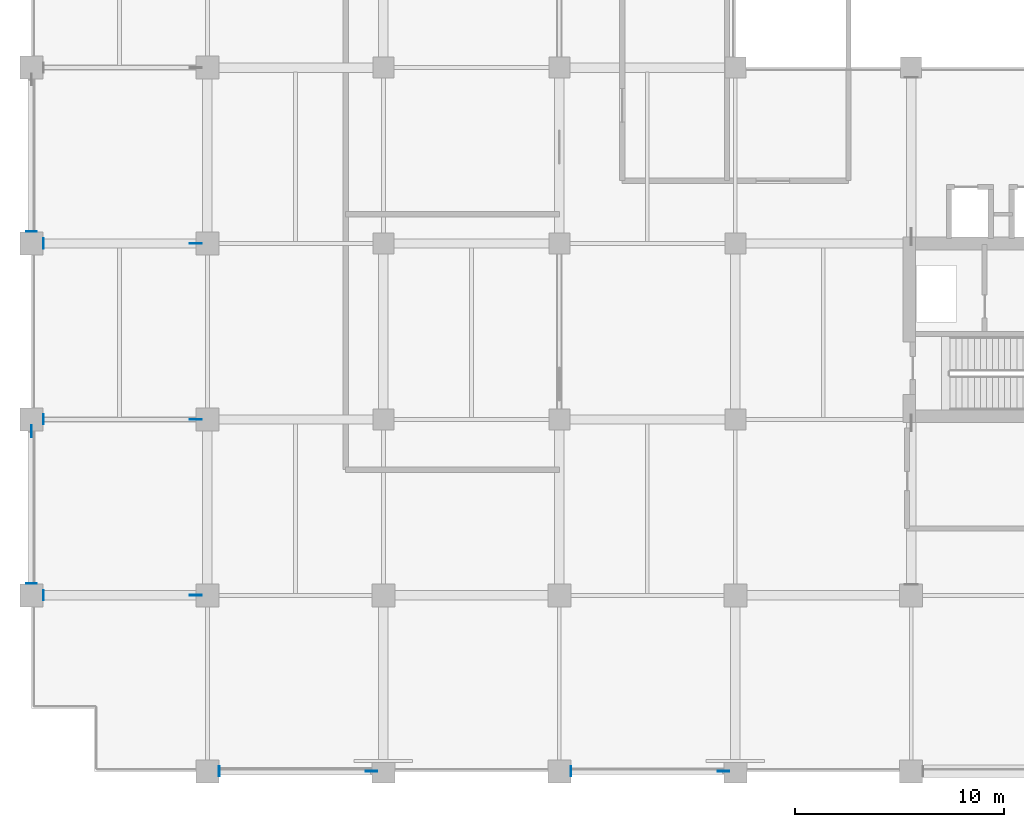
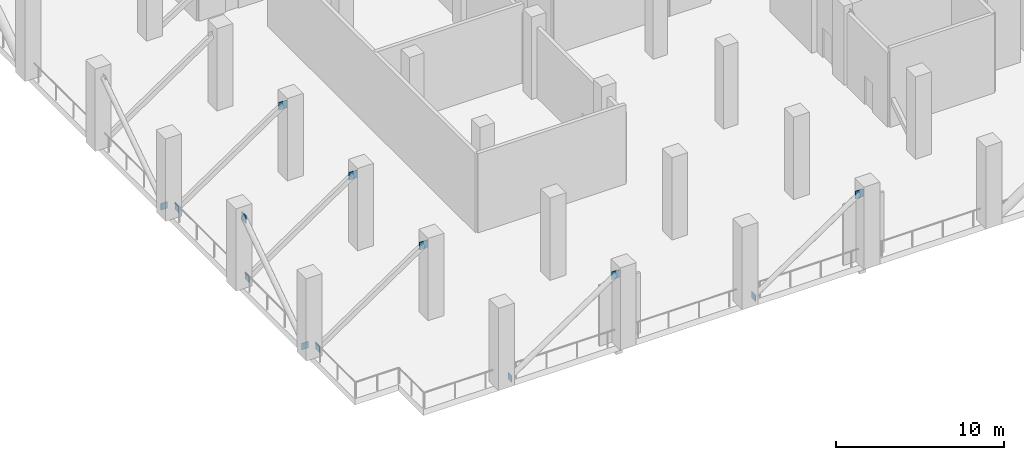
# One storey, part 5 of 18: 13 plates.
"""IFC4 building model written with IfcOpenShell, lengths in metres."""

from ifc_helpers import new_model, si_unit, direction, frame, origin, origin_2d, place, context, subcontext, project, spatial, rectangle, extrude, material, layer, layer_set, type_object, element, save


model = new_model("IFC4")

# Units and contexts
model_context = context("Model", 3, precision=1e-05, world=origin(), true_north=direction((0.0, 1.0)))
body_context = subcontext(model_context, "Body", "Model", "MODEL_VIEW")
ifc_project = project(units=[si_unit("LENGTHUNIT", "METRE"), si_unit("AREAUNIT", "SQUARE_METRE"), si_unit("VOLUMEUNIT", "CUBIC_METRE"), si_unit("PLANEANGLEUNIT", "RADIAN"), si_unit("MASSUNIT", "GRAM", prefix="KILO")], contexts=[model_context])

# Site, building, storey
site_placement = place(None, origin())
site = spatial("IfcSite", under=ifc_project, at=site_placement, CompositionType="ELEMENT")
building_placement = place(site_placement, origin())
building = spatial("IfcBuilding", under=site, at=building_placement, Name="Koriwani Terraces Tower", CompositionType="ELEMENT")
storey_placement = place(building_placement, frame((0.0, 0.0, 228.199951171875)))
storey = spatial("IfcBuildingStorey", under=building, at=storey_placement, Name="L56", CompositionType="ELEMENT", Elevation=228.199951171875)

# Plates
ifc_material = material(Name="Steel ASTM A572 Grade 50", Category="steel")
ifc_layer_1 = layer(ifc_material, 0.02490234375, Name="Steel ASTM A572 Grade 50")
ifc_layer_set_1 = layer_set([ifc_layer_1], Name="Steel ASTM A572 Grade 50")
plate_type_1 = type_object("IfcPlateType", Name="STEEL_CAP_PLATE_25", PredefinedType="USERDEFINED", material=ifc_layer_set_1)
for number, where, z_axis, x_axis, name in (
    (1, (8.963134765625, 0.0, 0.032470703125), (0.0, 0.0, 1.0), (1.0, 0.0, 0.0), "Brace End Cap Plate BT-L56-BS1"),
    (2, (25.76318359375, 0.0, 0.032470703125), (0.0, 0.0, 1.0), (1.0, 0.0, 0.0), "Brace End Cap Plate BT-L56-BS2"),
    (3, (0.0, 8.963134765625, 0.032470703125), (0.0, 0.0, 1.0), (0.0, 1.0, 0.0), "Brace End Cap Plate BT-L56-BW1"),
    (4, (0.0, 25.76318359375, 0.032470703125), (0.0, 0.0, 1.0), (0.0, 1.0, 0.0), "Brace End Cap Plate BT-L56-BW2"),
    (5, (0.56298828125, 8.39990234375, 0.032470703125), (0.0, 0.0, 1.0), (1.0, 0.0, 0.0), "Brace End Cap Plate TT56-Y84"),
    (6, (0.56298828125, 16.800048828125, 0.032470703125), (0.0, 0.0, 1.0), (1.0, 0.0, 0.0), "Brace End Cap Plate TT56-Y168"),
    (7, (0.56298828125, 25.199951171875, 0.032470703125), (0.0, 0.0, 1.0), (1.0, 0.0, 0.0), "Brace End Cap Plate TT56-Y252"),
):
    element("IfcPlate", number, at=place(storey_placement, frame(where, z_axis=z_axis, x_axis=x_axis)), inside=storey, type_object=plate_type_1, Name=name, ObjectType="FLANGE_PLATE", PredefinedType="USERDEFINED", context=body_context, shape_type="SweptSolid", body=[
        extrude(rectangle(XDim=0.02490234375, YDim=0.47998046875, at=origin_2d()), origin(), (0.0, 0.0, 1.0), 0.47998046875),
    ])
ifc_layer_2 = layer(ifc_material, 0.0400390625, Name="Steel ASTM A572 Grade 50")
ifc_layer_set_2 = layer_set([ifc_layer_2], Name="Steel ASTM A572 Grade 50")
plate_type_2 = type_object("IfcPlateType", Name="STEEL_GUSSET_PLATE_40", PredefinedType="USERDEFINED", material=ifc_layer_set_2)
for number, where, z_axis, x_axis, name in (
    (8, (16.23681640625, 0.0, 4.917724609375), (0.0, 0.0, 1.0), (1.0, 0.0, 0.0), "Brace Node Gusset Plate BT-L56-BS1"),
    (9, (33.036865234375, 0.0, 4.917724609375), (0.0, 0.0, 1.0), (1.0, 0.0, 0.0), "Brace Node Gusset Plate BT-L56-BS2"),
    (10, (0.0, 16.23681640625, 4.917724609375), (0.0, 0.0, 1.0), (0.0, 1.0, 0.0), "Brace Node Gusset Plate BT-L56-BW1"),
    (11, (7.8369140625, 8.39990234375, 4.917724609375), (0.0, 0.0, 1.0), (1.0, 0.0, 0.0), "Brace Node Gusset Plate TT56-Y84"),
    (12, (7.8369140625, 16.800048828125, 4.917724609375), (0.0, 0.0, 1.0), (1.0, 0.0, 0.0), "Brace Node Gusset Plate TT56-Y168"),
    (13, (7.8369140625, 25.199951171875, 4.917724609375), (0.0, 0.0, 1.0), (1.0, 0.0, 0.0), "Brace Node Gusset Plate TT56-Y252"),
):
    element("IfcPlate", number, at=place(storey_placement, frame(where, z_axis=z_axis, x_axis=x_axis)), inside=storey, type_object=plate_type_2, Name=name, ObjectType="GUSSET_PLATE", PredefinedType="USERDEFINED", context=body_context, shape_type="SweptSolid", body=[
        extrude(rectangle(XDim=0.56005859375, YDim=0.0400390625, at=origin_2d()), origin(), (0.0, 0.0, 1.0), 0.56005859375),
    ])

save(model, "model.ifc")
